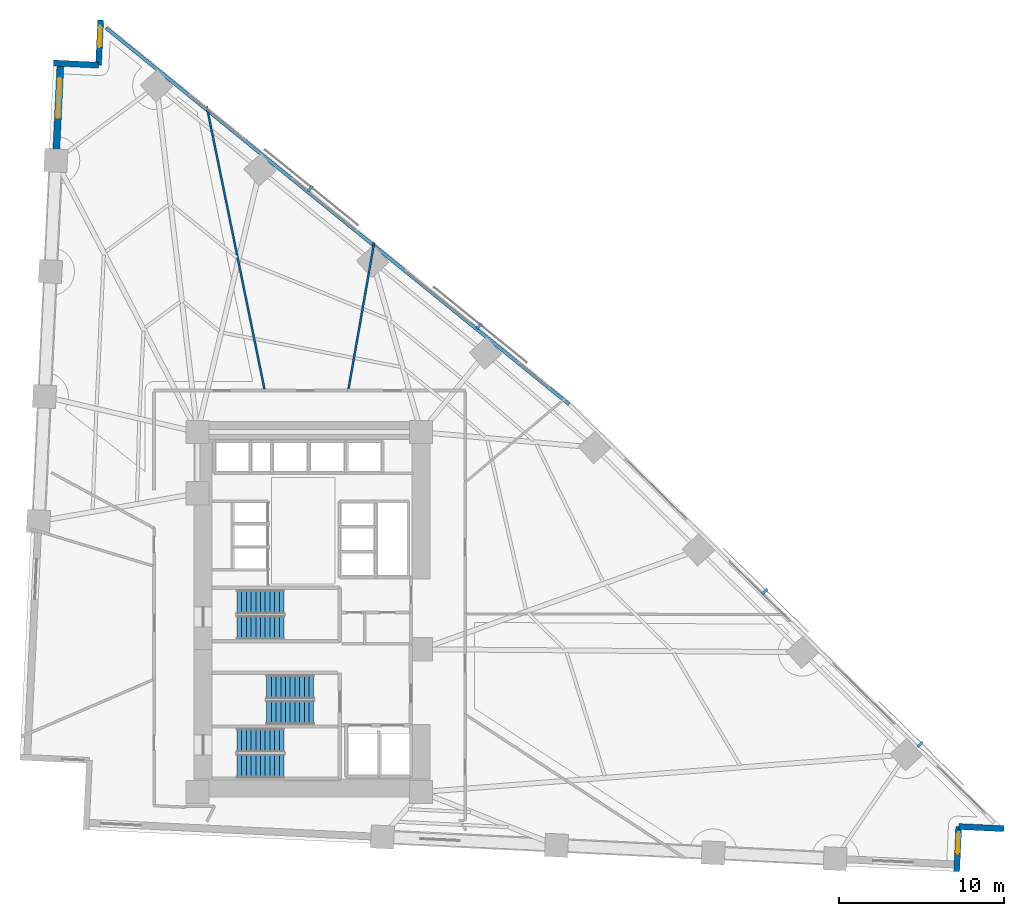
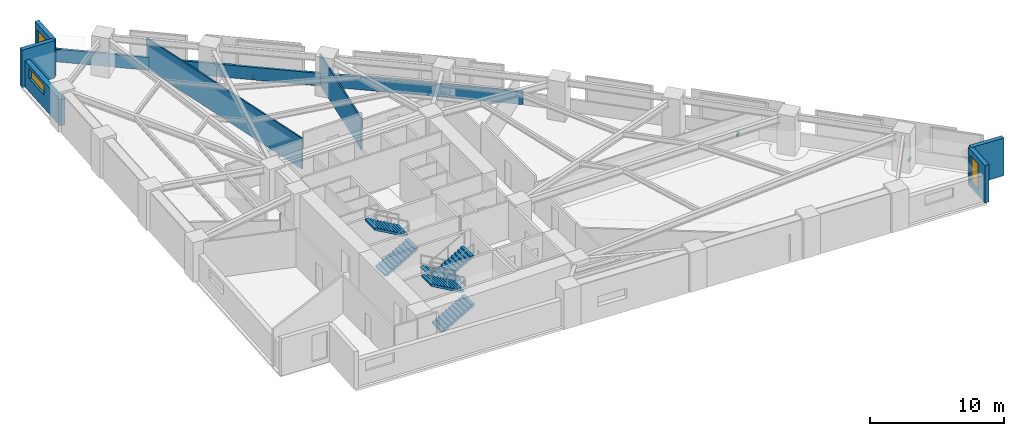
# One storey, part 15 of 17: 8 walls, 6 stair flights, 4 discrete accessories, 3 windows, 3 openings, 3 elements without a shape of their own.
"""IFC4 building model written with IfcOpenShell, lengths in metres."""

from ifc_helpers import new_model, si_unit, direction, frame, frame_2d, origin, origin_2d, place, context, subcontext, project, spatial, polyline, rectangle, outline, extrude, material, layer, layer_set, type_object, element, fill, aggregate, save


model = new_model("IFC4")

# Units and contexts
model_context = context("Model", 3, precision=1e-05, world=origin(), true_north=direction((0.0, 1.0)))
body_context = subcontext(model_context, "Body", "Model", "MODEL_VIEW")
ifc_project = project(units=[si_unit("LENGTHUNIT", "METRE"), si_unit("AREAUNIT", "SQUARE_METRE"), si_unit("VOLUMEUNIT", "CUBIC_METRE"), si_unit("PLANEANGLEUNIT", "RADIAN"), si_unit("MASSUNIT", "GRAM", prefix="KILO")], contexts=[model_context])

# Site, building, storey
site_placement = place(None, origin())
site = spatial("IfcSite", under=ifc_project, at=site_placement, CompositionType="ELEMENT")
building_placement = place(site_placement, origin())
building = spatial("IfcBuilding", under=site, at=building_placement, Name="Narakoshi Arena Tower", CompositionType="ELEMENT")
storey_placement = place(building_placement, frame((0.0, 0.0, 41.10009765625)))
storey = spatial("IfcBuildingStorey", under=building, at=storey_placement, Name="L10", CompositionType="ELEMENT", Elevation=41.10009765625)

# Walls
ifc_material_1 = material(Name="Precast concrete C45/55", Category="concrete")
ifc_layer_1 = layer(ifc_material_1, 0.25)
ifc_layer_set_1 = layer_set([ifc_layer_1], Name="Precast concrete C45/55")
wall_type_1 = type_object("IfcWallType", Name="WL-PARA-250", PredefinedType="PARAPET", material=ifc_layer_set_1)
wall_1_placement = place(storey_placement, frame((94.51318359375, 58.19580078125, 0.0), z_axis=(0.0, 0.0, 1.0), x_axis=(-0.776001602097, 0.630730935933, 0.0)))
element("IfcWall", 1, at=wall_1_placement, inside=storey, type_object=wall_type_1, Name="L10 Hypotenuse Sill Upstand Parapet 2-01", PredefinedType="PARAPET", context=body_context, shape_type="SweptSolid", body=[
    extrude(rectangle(XDim=36.14794921875, YDim=0.199951171875, at=frame_2d((18.073974609375, 0.0))), origin(), (0.0, 0.0, 1.0), 1.14990234375),
])
ifc_material_2 = material(Name="Gypsum plasterboard fire-rated partition")
ifc_layer_2 = layer(ifc_material_2, 0.125)
ifc_layer_set_2 = layer_set([ifc_layer_2], Name="Gypsum plasterboard fire-rated partition")
wall_type_2 = type_object("IfcWallType", Name="WL-PART-125", PredefinedType="PARTITIONING", material=ifc_layer_set_2)
wall_2_placement = place(storey_placement, frame((81.158203125, 59.114501953125, 0.0), z_axis=(0.0, 0.0, 1.0), x_axis=(0.172629354871, 0.984986855667, 0.0)))
element("IfcWall", 2, at=wall_2_placement, inside=storey, type_object=wall_type_2, Name="L10 Inter-Room Partition 06-07", PredefinedType="PARTITIONING", context=body_context, shape_type="SweptSolid", body=[
    extrude(rectangle(XDim=9.012939453125, YDim=0.125, at=frame_2d((4.50634765625, 0.0))), origin(), (0.0, 0.0, 1.0), 2.784912109375),
])
wall_3_placement = place(storey_placement, frame((76.06591796875, 59.114501953125, 0.0), z_axis=(0.0, 0.0, 1.0), x_axis=(-0.200103691779, 0.979774725402, 0.0)))
element("IfcWall", 3, at=wall_3_placement, inside=storey, type_object=wall_type_2, Name="L10 Inter-Room Partition 07-08", PredefinedType="PARTITIONING", context=body_context, shape_type="SweptSolid", body=[
    extrude(rectangle(XDim=17.4775390625, YDim=0.125, at=frame_2d((8.73876953125, 0.0))), origin(), (0.0, 0.0, 1.0), 2.784912109375),
])

# Wall, opening, window
ifc_layer_3 = layer(ifc_material_1, 0.419921875)
ifc_layer_set_3 = layer_set([ifc_layer_3], Name="Precast concrete C45/55")
wall_type_3 = type_object("IfcWallType", Name="WL-POD-420", PredefinedType="SOLIDWALL", material=ifc_layer_set_3)
wall_4_placement = place(storey_placement, frame((63.711181640625, 78.84375, 0.0), z_axis=(0.0, 0.0, 1.0), x_axis=(-0.048007946398, -0.998846953784, 0.0)))
wall_4 = element("IfcWall", 4, at=wall_4_placement, inside=storey, type_object=wall_type_3, Name="L10 Architectural Concrete Facade Wall LEGB-1", PredefinedType="SOLIDWALL", context=body_context, shape_type="SweptSolid", body=[
    extrude(rectangle(XDim=5.89404296875, YDim=0.419921875, at=frame_2d((2.947021484375, 0.0))), origin(), (0.0, 0.0, 1.0), 2.385009765625),
])
opening_1_placement = place(wall_4_placement, frame((0.89990234375, 0.0, 1.199951171875)))
opening_1 = element("IfcOpeningElement", 5, at=opening_1_placement, cuts=wall_4, Name="Opening WN-01", PredefinedType="OPENING", context=body_context, shape_type="SweptSolid", body=[
    extrude(rectangle(XDim=2.39990234375, YDim=0.89990234375, at=frame_2d((1.199951171875, 0.449951171875))), frame((0.0, 0.219970703125, 0.0), z_axis=(0.0, -1.0, 0.0), x_axis=(1.0, 0.0, 0.0)), (0.0, 0.0, 1.0), 0.43994140625),
])
ifc_material_3 = material(Name="Bronze-tinted low-E laminated glass", Category="glass")
window_type_1 = type_object("IfcWindowType", Name="WIN-SLT-24x09", PartitioningType="SINGLE_PANEL", PredefinedType="WINDOW", material=ifc_material_3)
window_1_placement = place(opening_1_placement, origin())
window_1 = element("IfcWindow", 6, at=window_1_placement, inside=storey, type_object=window_type_1, Name="L10 LEGB1 Horizontal Slot Window 1", OverallHeight=0.89990234375, OverallWidth=2.39990234375, PartitioningType="SINGLE_PANEL", PredefinedType="WINDOW", context=body_context, shape_type="SweptSolid", body=[
    extrude(rectangle(XDim=2.39990234375, YDim=0.89990234375, at=frame_2d((1.199951171875, 0.449951171875))), frame((0.0, 0.030029296875, 0.0), z_axis=(0.0, -1.0, 0.0), x_axis=(1.0, 0.0, 0.0)), (0.0, 0.0, 1.0), 0.06005859375),
])
fill(opening_1, window_1)

wall_5_placement = place(storey_placement, frame((117.99951171875, 29.8828125, 0.0), z_axis=(0.0, 0.0, 1.0), x_axis=(0.048024030708, 0.998846180588, 0.0)))
wall_5 = element("IfcWall", 7, at=wall_5_placement, inside=storey, type_object=wall_type_3, Name="L10 Re-Entrant Corner Notch Wall NTE-1", PredefinedType="SOLIDWALL", context=body_context, shape_type="SweptSolid", body=[
    extrude(rectangle(XDim=2.72998046875, YDim=0.360107421875, at=frame_2d((1.364990234375, 0.0))), origin(), (0.0, 0.0, 1.0), 3.39990234375),
])
opening_2_placement = place(wall_5_placement, frame((1.090087890625, 0.0, 0.449951171875)))
opening_2 = element("IfcOpeningElement", 8, at=opening_2_placement, cuts=wall_5, Name="Opening WN-06", PredefinedType="OPENING", context=body_context, shape_type="SweptSolid", body=[
    extrude(rectangle(XDim=1.300048828125, YDim=2.39990234375, at=frame_2d((0.64990234375, 1.199951171875))), frame((0.0, 0.18994140625, 0.0), z_axis=(0.0, -1.0, 0.0), x_axis=(1.0, 0.0, 0.0)), (0.0, 0.0, 1.0), 0.380126953125),
])
window_type_2 = type_object("IfcWindowType", Name="WIN-NTC-16x24", PartitioningType="SINGLE_PANEL", PredefinedType="WINDOW", material=ifc_material_3)
window_2_placement = place(opening_2_placement, origin())
window_2 = element("IfcWindow", 9, at=window_2_placement, inside=storey, type_object=window_type_2, Name="L10 Corner Notch Window NTE", OverallHeight=2.39990234375, OverallWidth=1.300048828125, PartitioningType="SINGLE_PANEL", PredefinedType="WINDOW", context=body_context, shape_type="SweptSolid", body=[
    extrude(rectangle(XDim=1.300048828125, YDim=2.39990234375, at=frame_2d((0.64990234375, 1.199951171875))), frame((0.0, 0.030029296875, 0.0), z_axis=(0.0, -1.0, 0.0), x_axis=(1.0, 0.0, 0.0)), (0.0, 0.0, 1.0), 0.06005859375),
])
fill(opening_2, window_2)

# Wall
wall_6_placement = place(storey_placement, frame((118.130615234375, 32.609619140625, 0.0), z_axis=(0.0, 0.0, 1.0), x_axis=(0.998846180588, -0.048024030708, 0.0)))
element("IfcWall", 10, at=wall_6_placement, inside=storey, type_object=wall_type_3, Name="L10 Re-Entrant Corner Notch Wall NTE-2", PredefinedType="SOLIDWALL", context=body_context, shape_type="SweptSolid", body=[
    extrude(rectangle(XDim=2.72998046875, YDim=0.360107421875, at=frame_2d((1.364990234375, 0.0))), origin(), (0.0, 0.0, 1.0), 3.39990234375),
])

# Wall, opening, window
wall_7_placement = place(storey_placement, frame((66.144287109375, 81.4599609375, 0.0), z_axis=(0.0, 0.0, 1.0), x_axis=(-0.047934806162, -0.998850466465, 0.0)))
wall_7 = element("IfcWall", 11, at=wall_7_placement, inside=storey, type_object=wall_type_3, Name="L10 Re-Entrant Corner Notch Wall NTN-1", PredefinedType="SOLIDWALL", context=body_context, shape_type="SweptSolid", body=[
    extrude(rectangle(XDim=2.72998046875, YDim=0.360107421875, at=frame_2d((1.364990234375, 0.0))), origin(), (0.0, 0.0, 1.0), 3.39990234375),
])
opening_3_placement = place(wall_7_placement, frame((0.340087890625, 0.0, 0.449951171875)))
opening_3 = element("IfcOpeningElement", 12, at=opening_3_placement, cuts=wall_7, Name="Opening WN-06", PredefinedType="OPENING", context=body_context, shape_type="SweptSolid", body=[
    extrude(rectangle(XDim=1.300048828125, YDim=2.39990234375, at=frame_2d((0.64990234375, 1.199951171875))), frame((0.0, 0.18994140625, 0.0), z_axis=(0.0, -1.0, 0.0), x_axis=(1.0, 0.0, 0.0)), (0.0, 0.0, 1.0), 0.380126953125),
])
window_3_placement = place(opening_3_placement, origin())
window_3 = element("IfcWindow", 13, at=window_3_placement, inside=storey, type_object=window_type_2, Name="L10 Corner Notch Window NTN", OverallHeight=2.39990234375, OverallWidth=1.300048828125, PartitioningType="SINGLE_PANEL", PredefinedType="WINDOW", context=body_context, shape_type="SweptSolid", body=[
    extrude(rectangle(XDim=1.300048828125, YDim=2.39990234375, at=frame_2d((0.64990234375, 1.199951171875))), frame((0.0, 0.030029296875, 0.0), z_axis=(0.0, -1.0, 0.0), x_axis=(1.0, 0.0, 0.0)), (0.0, 0.0, 1.0), 0.06005859375),
])
fill(opening_3, window_3)

# Wall
wall_8_placement = place(storey_placement, frame((66.013427734375, 78.733154296875, 0.0), z_axis=(0.0, 0.0, 1.0), x_axis=(-0.998846180588, 0.048024030708, 0.0)))
element("IfcWall", 14, at=wall_8_placement, inside=storey, type_object=wall_type_3, Name="L10 Re-Entrant Corner Notch Wall NTN-2", PredefinedType="SOLIDWALL", context=body_context, shape_type="SweptSolid", body=[
    extrude(rectangle(XDim=2.72998046875, YDim=0.360107421875, at=frame_2d((1.364990234375, 0.0))), origin(), (0.0, 0.0, 1.0), 3.39990234375),
])

# Stair, stair flights
ifc_material_4 = material(Name="Concrete C45/55", Category="concrete")
stair_type = type_object("IfcStairType", Name="STR-CORE-360", PredefinedType="TWO_STRAIGHT_RUN_STAIR", material=ifc_material_4)
stair_1_placement = place(storey_placement, origin())
stair_1 = element("IfcStair", 15, at=stair_1_placement, inside=storey, type_object=stair_type, Name="L10 Core Escape Stair ST1", PredefinedType="TWO_STRAIGHT_RUN_STAIR")
stair_flight_type = type_object("IfcStairFlightType", Name="FLT-145-160", PredefinedType="STRAIGHT", material=ifc_material_1)
stair_flight_1_placement = place(storey_placement, frame((74.39990234375, 36.27490234375, 0.0), z_axis=(0.0, 0.0, 1.0), x_axis=(1.0, 0.0, 0.0)))
stair_flight_1 = element("IfcStairFlight", 16, at=stair_flight_1_placement, type_object=stair_flight_type, Name="ST1 flight 1", NumberOfRisers=11, NumberOfTreads=10, PredefinedType="STRAIGHT", RiserHeight=0.163636364, TreadLength=0.285, context=body_context, shape_type="SweptSolid", body=[
    extrude(outline(polyline([(0.0, 0.0), (0.0, 0.16357421875), (0.284912109375, 0.16357421875), (0.284912109375, 0.327392578125), (0.570068359375, 0.327392578125), (0.570068359375, 0.490966796875), (0.85498046875, 0.490966796875), (0.85498046875, 0.654541015625), (1.139892578125, 0.654541015625), (1.139892578125, 0.818115234375), (1.425048828125, 0.818115234375), (1.425048828125, 0.98193359375), (1.7099609375, 0.98193359375), (1.7099609375, 1.1455078125), (1.9951171875, 1.1455078125), (1.9951171875, 1.30908203125), (2.280029296875, 1.30908203125), (2.280029296875, 1.47265625), (2.56494140625, 1.47265625), (2.56494140625, 1.636474609375), (2.85009765625, 1.636474609375), (2.85009765625, 1.800048828125), (2.85009765625, 1.463623046875), (0.301025390625, 0.0), (0.0, 0.0)])), frame((0.0, 0.72509765625, 0.0), z_axis=(0.0, -1.0, 0.0), x_axis=(1.0, 0.0, 0.0)), (0.0, 0.0, 1.0), 1.449951171875),
])
stair_flight_2_placement = place(storey_placement, frame((77.25, 37.824951171875, 1.7998046875), z_axis=(0.0, 0.0, 1.0), x_axis=(-1.0, 0.0, 0.0)))
stair_flight_2 = element("IfcStairFlight", 17, at=stair_flight_2_placement, type_object=stair_flight_type, Name="ST1 flight 2", NumberOfRisers=11, NumberOfTreads=10, PredefinedType="STRAIGHT", RiserHeight=0.163636364, TreadLength=0.285, context=body_context, shape_type="SweptSolid", body=[
    extrude(outline(polyline([(0.0, 0.0), (0.0, 0.16357421875), (0.284912109375, 0.16357421875), (0.284912109375, 0.327392578125), (0.570068359375, 0.327392578125), (0.570068359375, 0.490966796875), (0.85498046875, 0.490966796875), (0.85498046875, 0.654541015625), (1.139892578125, 0.654541015625), (1.139892578125, 0.818115234375), (1.425048828125, 0.818115234375), (1.425048828125, 0.98193359375), (1.7099609375, 0.98193359375), (1.7099609375, 1.1455078125), (1.9951171875, 1.1455078125), (1.9951171875, 1.30908203125), (2.280029296875, 1.30908203125), (2.280029296875, 1.47265625), (2.56494140625, 1.47265625), (2.56494140625, 1.636474609375), (2.85009765625, 1.636474609375), (2.85009765625, 1.800048828125), (2.85009765625, 1.463623046875), (0.301025390625, 0.0), (0.0, 0.0)])), frame((0.0, 0.72509765625, 0.0), z_axis=(0.0, -1.0, 0.0), x_axis=(1.0, 0.0, 0.0)), (0.0, 0.0, 1.0), 1.449951171875),
])
aggregate(stair_1, [stair_flight_1, stair_flight_2])

stair_2_placement = place(storey_placement, origin())
stair_2 = element("IfcStair", 18, at=stair_2_placement, inside=storey, type_object=stair_type, Name="L10 Core Escape Stair ST2", PredefinedType="TWO_STRAIGHT_RUN_STAIR")
stair_flight_3_placement = place(storey_placement, frame((79.050048828125, 41.074951171875, 0.0), z_axis=(0.0, 0.0, 1.0), x_axis=(-1.0, 0.0, 0.0)))
stair_flight_3 = element("IfcStairFlight", 19, at=stair_flight_3_placement, type_object=stair_flight_type, Name="ST2 flight 1", NumberOfRisers=11, NumberOfTreads=10, PredefinedType="STRAIGHT", RiserHeight=0.163636364, TreadLength=0.285, context=body_context, shape_type="SweptSolid", body=[
    extrude(outline(polyline([(0.0, 0.0), (0.0, 0.16357421875), (0.284912109375, 0.16357421875), (0.284912109375, 0.327392578125), (0.570068359375, 0.327392578125), (0.570068359375, 0.490966796875), (0.85498046875, 0.490966796875), (0.85498046875, 0.654541015625), (1.139892578125, 0.654541015625), (1.139892578125, 0.818115234375), (1.425048828125, 0.818115234375), (1.425048828125, 0.98193359375), (1.7099609375, 0.98193359375), (1.7099609375, 1.1455078125), (1.9951171875, 1.1455078125), (1.9951171875, 1.30908203125), (2.280029296875, 1.30908203125), (2.280029296875, 1.47265625), (2.56494140625, 1.47265625), (2.56494140625, 1.636474609375), (2.85009765625, 1.636474609375), (2.85009765625, 1.800048828125), (2.85009765625, 1.463623046875), (0.301025390625, 0.0), (0.0, 0.0)])), frame((0.0, 0.72509765625, 0.0), z_axis=(0.0, -1.0, 0.0), x_axis=(1.0, 0.0, 0.0)), (0.0, 0.0, 1.0), 1.449951171875),
])
stair_flight_4_placement = place(storey_placement, frame((76.199951171875, 39.52490234375, 1.7998046875), z_axis=(0.0, 0.0, 1.0), x_axis=(1.0, 0.0, 0.0)))
stair_flight_4 = element("IfcStairFlight", 20, at=stair_flight_4_placement, type_object=stair_flight_type, Name="ST2 flight 2", NumberOfRisers=11, NumberOfTreads=10, PredefinedType="STRAIGHT", RiserHeight=0.163636364, TreadLength=0.285, context=body_context, shape_type="SweptSolid", body=[
    extrude(outline(polyline([(0.0, 0.0), (0.0, 0.16357421875), (0.284912109375, 0.16357421875), (0.284912109375, 0.327392578125), (0.570068359375, 0.327392578125), (0.570068359375, 0.490966796875), (0.85498046875, 0.490966796875), (0.85498046875, 0.654541015625), (1.139892578125, 0.654541015625), (1.139892578125, 0.818115234375), (1.425048828125, 0.818115234375), (1.425048828125, 0.98193359375), (1.7099609375, 0.98193359375), (1.7099609375, 1.1455078125), (1.9951171875, 1.1455078125), (1.9951171875, 1.30908203125), (2.280029296875, 1.30908203125), (2.280029296875, 1.47265625), (2.56494140625, 1.47265625), (2.56494140625, 1.636474609375), (2.85009765625, 1.636474609375), (2.85009765625, 1.800048828125), (2.85009765625, 1.463623046875), (0.301025390625, 0.0), (0.0, 0.0)])), frame((0.0, 0.72509765625, 0.0), z_axis=(0.0, -1.0, 0.0), x_axis=(1.0, 0.0, 0.0)), (0.0, 0.0, 1.0), 1.449951171875),
])
aggregate(stair_2, [stair_flight_3, stair_flight_4])

stair_3_placement = place(storey_placement, origin())
stair_3 = element("IfcStair", 21, at=stair_3_placement, inside=storey, type_object=stair_type, Name="L10 Core Escape Stair ST3", PredefinedType="TWO_STRAIGHT_RUN_STAIR")
stair_flight_5_placement = place(storey_placement, frame((74.39990234375, 44.675048828125, 0.0), z_axis=(0.0, 0.0, 1.0), x_axis=(1.0, 0.0, 0.0)))
stair_flight_5 = element("IfcStairFlight", 22, at=stair_flight_5_placement, type_object=stair_flight_type, Name="ST3 flight 1", NumberOfRisers=11, NumberOfTreads=10, PredefinedType="STRAIGHT", RiserHeight=0.163636364, TreadLength=0.285, context=body_context, shape_type="SweptSolid", body=[
    extrude(outline(polyline([(0.0, 0.0), (0.0, 0.16357421875), (0.284912109375, 0.16357421875), (0.284912109375, 0.327392578125), (0.570068359375, 0.327392578125), (0.570068359375, 0.490966796875), (0.85498046875, 0.490966796875), (0.85498046875, 0.654541015625), (1.139892578125, 0.654541015625), (1.139892578125, 0.818115234375), (1.425048828125, 0.818115234375), (1.425048828125, 0.98193359375), (1.7099609375, 0.98193359375), (1.7099609375, 1.1455078125), (1.9951171875, 1.1455078125), (1.9951171875, 1.30908203125), (2.280029296875, 1.30908203125), (2.280029296875, 1.47265625), (2.56494140625, 1.47265625), (2.56494140625, 1.636474609375), (2.85009765625, 1.636474609375), (2.85009765625, 1.800048828125), (2.85009765625, 1.463623046875), (0.301025390625, 0.0), (0.0, 0.0)])), frame((0.0, 0.72509765625, 0.0), z_axis=(0.0, -1.0, 0.0), x_axis=(1.0, 0.0, 0.0)), (0.0, 0.0, 1.0), 1.449951171875),
])
stair_flight_6_placement = place(storey_placement, frame((77.25, 46.22509765625, 1.7998046875), z_axis=(0.0, 0.0, 1.0), x_axis=(-1.0, 0.0, 0.0)))
stair_flight_6 = element("IfcStairFlight", 23, at=stair_flight_6_placement, type_object=stair_flight_type, Name="ST3 flight 2", NumberOfRisers=11, NumberOfTreads=10, PredefinedType="STRAIGHT", RiserHeight=0.163636364, TreadLength=0.285, context=body_context, shape_type="SweptSolid", body=[
    extrude(outline(polyline([(0.0, 0.0), (0.0, 0.16357421875), (0.284912109375, 0.16357421875), (0.284912109375, 0.327392578125), (0.570068359375, 0.327392578125), (0.570068359375, 0.490966796875), (0.85498046875, 0.490966796875), (0.85498046875, 0.654541015625), (1.139892578125, 0.654541015625), (1.139892578125, 0.818115234375), (1.425048828125, 0.818115234375), (1.425048828125, 0.98193359375), (1.7099609375, 0.98193359375), (1.7099609375, 1.1455078125), (1.9951171875, 1.1455078125), (1.9951171875, 1.30908203125), (2.280029296875, 1.30908203125), (2.280029296875, 1.47265625), (2.56494140625, 1.47265625), (2.56494140625, 1.636474609375), (2.85009765625, 1.636474609375), (2.85009765625, 1.800048828125), (2.85009765625, 1.463623046875), (0.301025390625, 0.0), (0.0, 0.0)])), frame((0.0, 0.72509765625, 0.0), z_axis=(0.0, -1.0, 0.0), x_axis=(1.0, 0.0, 0.0)), (0.0, 0.0, 1.0), 1.449951171875),
])
aggregate(stair_3, [stair_flight_5, stair_flight_6])

# Discrete accessories
ifc_material_5 = material(Name="Structural steel S355J2", Category="steel")
discrete_accessory_type = type_object("IfcDiscreteAccessoryType", Name="ACC-BRK-SCR", PredefinedType="BRACKET", material=ifc_material_5)
for number, where, z_axis, x_axis, name in (
    (24, (115.783203125, 37.58740234375, -0.080078125), (0.0, 0.0, 1.0), (-0.712540559713, 0.70163092204, 0.0), "L10 Solar Screen Support Bracket SHD-L10-SCR1-1"),
    (25, (106.377685546875, 46.848876953125, -0.080078125), (0.0, 0.0, 1.0), (-0.712540559713, 0.70163092204, 0.0), "L10 Solar Screen Support Bracket SHD-L10-SCR1-2"),
    (26, (89.077392578125, 62.923095703125, -0.080078125), (0.0, 0.0, 1.0), (-0.776002375698, 0.630729984154, 0.0), "L10 Solar Screen Support Bracket SHD-L10-SCR2-1"),
    (27, (78.833984375, 71.248779296875, -0.080078125), (0.0, 0.0, 1.0), (-0.776002375698, 0.630729984154, 0.0), "L10 Solar Screen Support Bracket SHD-L10-SCR2-2"),
):
    element("IfcDiscreteAccessory", number, at=place(storey_placement, frame(where, z_axis=z_axis, x_axis=x_axis)), inside=storey, type_object=discrete_accessory_type, Name=name, PredefinedType="BRACKET", context=body_context, shape_type="SweptSolid", body=[
        extrude(rectangle(XDim=0.159912109375, YDim=0.425048828125, at=origin_2d()), origin(), (0.0, 0.0, 1.0), 0.199951171875),
    ])

save(model, "model.ifc")
